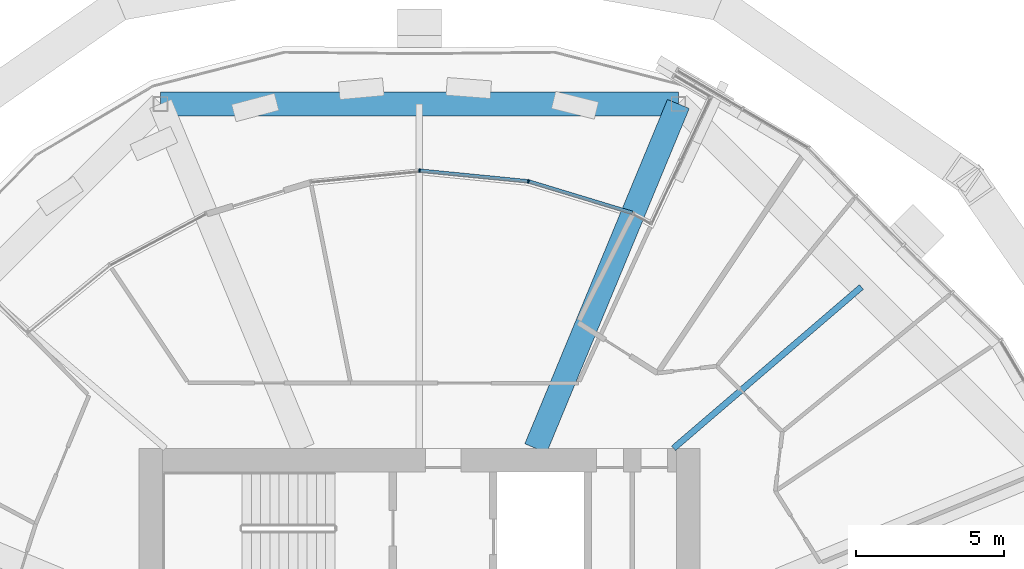
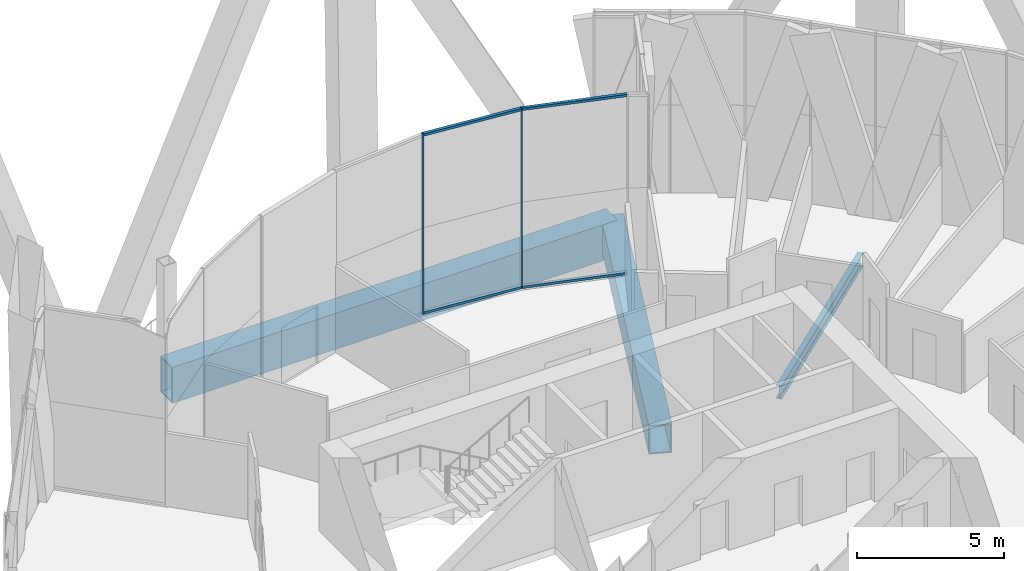
# One storey, part 8 of 31: 6 members, 3 beams, 1 element without a shape of its own.
"""IFC4 building model written with IfcOpenShell, lengths in metres."""

from ifc_helpers import new_model, si_unit, direction, frame, origin, origin_2d, place, context, subcontext, project, spatial, rectangle, hollow_rectangle, i_section, extrude, material, material_profile, profile_set, type_object, element, aggregate, save


model = new_model("IFC4")

# Units and contexts
model_context = context("Model", 3, precision=1e-05, world=origin(), true_north=direction((0.0, 1.0)))
body_context = subcontext(model_context, "Body", "Model", "MODEL_VIEW")
ifc_project = project(units=[si_unit("LENGTHUNIT", "METRE"), si_unit("AREAUNIT", "SQUARE_METRE"), si_unit("VOLUMEUNIT", "CUBIC_METRE"), si_unit("PLANEANGLEUNIT", "RADIAN"), si_unit("MASSUNIT", "GRAM", prefix="KILO")], contexts=[model_context])

# Site, building, storey
site_placement = place(None, origin())
site = spatial("IfcSite", under=ifc_project, at=site_placement, CompositionType="ELEMENT")
building_placement = place(site_placement, origin())
building = spatial("IfcBuilding", under=site, at=building_placement, Name="Ogive Gate Towers", CompositionType="ELEMENT")
storey_placement = place(building_placement, frame((0.0, 0.0, 55.800048828125)))
storey = spatial("IfcBuildingStorey", under=building, at=storey_placement, Name="L12", CompositionType="ELEMENT", Elevation=55.800048828125)

# Beams
ifc_material_1 = material(Name="Steel SM460", Category="steel")
ifc_material_profile_1 = material_profile(ifc_material_1, hollow_rectangle(XDim=0.800048828125, YDim=1.5, WallThickness=0.06005859375, at=origin_2d()), Name="BX 1500x800x60")
ifc_profile_set_1 = profile_set([ifc_material_profile_1], Name="Steel SM460")
beam_type_1 = type_object("IfcBeamType", Name="Edge girder BX 1500x800x60", PredefinedType="BEAM", material=ifc_profile_set_1)
beam_1_placement = place(storey_placement, frame((-27.236572265625, 21.15673828125, -1.050048828125), z_axis=(-1.0, 0.0, 0.0), x_axis=(0.0, -1.0, 0.0)))
element("IfcBeam", 1, at=beam_1_placement, inside=storey, type_object=beam_type_1, Name="T1/L12/SBM022", PredefinedType="BEAM", context=body_context, shape_type="SweptSolid", body=[
    extrude(hollow_rectangle(XDim=0.800048828125, YDim=1.5, WallThickness=0.06005859375, at=origin_2d()), origin(), (0.0, 0.0, 1.0), 17.52685546875),
])
ifc_material_2 = material(Name="Steel SM355", Category="steel")
ifc_material_profile_2 = material_profile(ifc_material_2, i_section(OverallWidth=0.2099609375, OverallDepth=0.550048828125, WebThickness=0.010986328125, FlangeThickness=0.01708984375, FilletRadius=0.02392578125, at=origin_2d()), Name="IPE 550")
ifc_profile_set_2 = profile_set([ifc_material_profile_2], Name="Steel SM355")
beam_type_2 = type_object("IfcBeamType", Name="Radial floor beam IPE 550", PredefinedType="BEAM", material=ifc_profile_set_2)
beam_2_placement = place(storey_placement, frame((-27.39990234375, 9.5, -0.574951171875), z_axis=(0.75874444664, 0.651388413078, 0.0), x_axis=(-0.651388413078, 0.75874444664, 0.0)))
element("IfcBeam", 2, at=beam_2_placement, inside=storey, type_object=beam_type_2, Name="T1/L12/SBM010", PredefinedType="BEAM", context=body_context, shape_type="SweptSolid", body=[
    extrude(i_section(OverallWidth=0.2099609375, OverallDepth=0.550048828125, WebThickness=0.010986328125, FlangeThickness=0.01708984375, FilletRadius=0.02392578125, at=origin_2d()), origin(), (0.0, 0.0, 1.0), 8.38232421875),
])

# Curtain wall, members
ifc_material_3 = material(Name="Pale metal aluminium", Category="aluminium")
curtain_wall_type = type_object("IfcCurtainWallType", Name="Sky garden glazing", PredefinedType="NOTDEFINED", material=ifc_material_3)
curtain_wall_placement = place(storey_placement, origin())
curtain_wall = element("IfcCurtainWall", 3, at=curtain_wall_placement, inside=storey, type_object=curtain_wall_type, Name="CW4 T1 ECW01", PredefinedType="NOTDEFINED")
ifc_material_profile_3 = material_profile(ifc_material_3, rectangle(XDim=0.1201171875, YDim=0.050048828125, at=origin_2d()), Name="50 x 120 aluminium box")
ifc_profile_set_3 = profile_set([ifc_material_profile_3], Name="Pale metal aluminium")
member_type_1 = type_object("IfcMemberType", Name="Sky garden glazing mullion 50 x 120", PredefinedType="MULLION", material=ifc_profile_set_3)
member_1_placement = place(storey_placement, frame((-35.99609375, 18.900390625, 0.0), z_axis=(0.0, 0.0, 1.0), x_axis=(-0.09801714033, -0.995184726672, 0.0)))
member_1 = element("IfcMember", 4, at=member_1_placement, type_object=member_type_1, Name="CW4 mullion", PredefinedType="MULLION", context=body_context, shape_type="SweptSolid", body=[
    extrude(rectangle(XDim=0.1201171875, YDim=0.050048828125, at=origin_2d()), origin(), (0.0, 0.0, 1.0), 7.5),
])
member_2_placement = place(storey_placement, frame((-32.312744140625, 18.537353515625, 0.0), z_axis=(0.0, 0.0, 1.0), x_axis=(-0.195090322016, -0.980785280403, 0.0)))
member_2 = element("IfcMember", 5, at=member_2_placement, type_object=member_type_1, Name="CW4 mullion", PredefinedType="MULLION", context=body_context, shape_type="SweptSolid", body=[
    extrude(rectangle(XDim=0.1201171875, YDim=0.050048828125, at=origin_2d()), origin(), (0.0, 0.0, 1.0), 7.5),
])
ifc_material_profile_4 = material_profile(ifc_material_3, rectangle(XDim=0.1201171875, YDim=0.10009765625, at=origin_2d()), Name="100 x 120 aluminium box")
ifc_profile_set_4 = profile_set([ifc_material_profile_4], Name="Pale metal aluminium")
member_type_2 = type_object("IfcMemberType", Name="Sky garden glazing transom 100 x 120", PredefinedType="USERDEFINED", material=ifc_profile_set_4)
member_3_placement = place(storey_placement, frame((-35.97119140625, 18.89794921875, 7.449951171875), z_axis=(0.99517996998, -0.098065423826, 0.0), x_axis=(0.098065423826, 0.99517996998, 0.0)))
member_3 = element("IfcMember", 6, at=member_3_placement, type_object=member_type_2, Name="CW4 transom", ObjectType="TRANSOM", PredefinedType="USERDEFINED", context=body_context, shape_type="SweptSolid", body=[
    extrude(rectangle(XDim=0.1201171875, YDim=0.10009765625, at=origin_2d()), origin(), (0.0, 0.0, 1.0), 3.647216796875),
])
member_4_placement = place(storey_placement, frame((-35.97119140625, 18.89794921875, 0.050048828125), z_axis=(0.99517996998, -0.098065423826, 0.0), x_axis=(0.098065423826, 0.99517996998, 0.0)))
member_4 = element("IfcMember", 7, at=member_4_placement, type_object=member_type_2, Name="CW4 transom", ObjectType="TRANSOM", PredefinedType="USERDEFINED", context=body_context, shape_type="SweptSolid", body=[
    extrude(rectangle(XDim=0.1201171875, YDim=0.10009765625, at=origin_2d()), origin(), (0.0, 0.0, 1.0), 3.647216796875),
])
member_5_placement = place(storey_placement, frame((-32.284912109375, 18.529052734375, 7.449951171875), z_axis=(0.956933719478, -0.290306487226, 0.0), x_axis=(0.290306487226, 0.956933719478, 0.0)))
member_5 = element("IfcMember", 8, at=member_5_placement, type_object=member_type_2, Name="CW4 transom", ObjectType="TRANSOM", PredefinedType="USERDEFINED", context=body_context, shape_type="SweptSolid", body=[
    extrude(rectangle(XDim=0.1201171875, YDim=0.10009765625, at=origin_2d()), origin(), (0.0, 0.0, 1.0), 3.647216796875),
])
member_6_placement = place(storey_placement, frame((-32.284912109375, 18.529052734375, 0.050048828125), z_axis=(0.956933719478, -0.290306487226, 0.0), x_axis=(0.290306487226, 0.956933719478, 0.0)))
member_6 = element("IfcMember", 9, at=member_6_placement, type_object=member_type_2, Name="CW4 transom", ObjectType="TRANSOM", PredefinedType="USERDEFINED", context=body_context, shape_type="SweptSolid", body=[
    extrude(rectangle(XDim=0.1201171875, YDim=0.10009765625, at=origin_2d()), origin(), (0.0, 0.0, 1.0), 3.647216796875),
])
aggregate(curtain_wall, [member_1, member_2, member_3, member_4, member_5, member_6])

# Beam
ifc_material_profile_5 = material_profile(ifc_material_1, hollow_rectangle(XDim=0.800048828125, YDim=1.199951171875, WallThickness=0.050048828125, at=origin_2d()), Name="BX 1200x800x50")
ifc_profile_set_5 = profile_set([ifc_material_profile_5], Name="Steel SM460")
beam_type_3 = type_object("IfcBeamType", Name="Transfer radial beam BX 1200x800x50", PredefinedType="BEAM", material=ifc_profile_set_5)
beam_3_placement = place(storey_placement, frame((-32.06494140625, 9.5, -0.900146484375), z_axis=(0.382682759347, 0.923879811284, 0.0), x_axis=(-0.923879811284, 0.382682759347, 0.0)))
element("IfcBeam", 10, at=beam_3_placement, inside=storey, type_object=beam_type_3, Name="T1/L12/SBM011", PredefinedType="BEAM", context=body_context, shape_type="SweptSolid", body=[
    extrude(hollow_rectangle(XDim=0.800048828125, YDim=1.199951171875, WallThickness=0.050048828125, at=origin_2d()), origin(), (0.0, 0.0, 1.0), 12.6171875),
])

save(model, "model.ifc")
